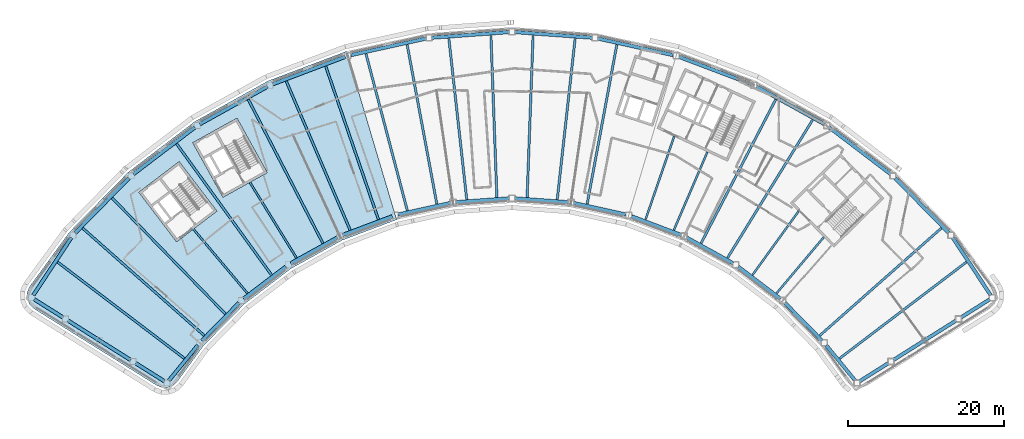
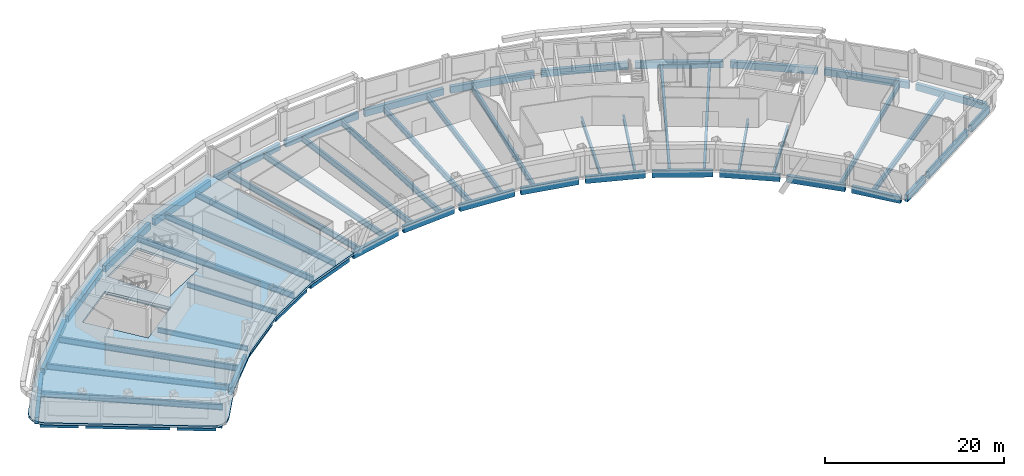
# One storey, part 3 of 13: 58 beams, 1 slab.
"""IFC4 building model written with IfcOpenShell, lengths in metres."""

from ifc_helpers import new_model, si_unit, direction, frame, origin, origin_2d, place, context, subcontext, project, spatial, polyline, hollow_rectangle, i_section, outline, extrude, material, layer, layer_set, material_profile, profile_set, type_object, element, save


model = new_model("IFC4")

# Units and contexts
model_context = context("Model", 3, precision=1e-05, world=origin(), true_north=direction((0.0, 1.0)))
body_context = subcontext(model_context, "Body", "Model", "MODEL_VIEW")
ifc_project = project(units=[si_unit("LENGTHUNIT", "METRE"), si_unit("AREAUNIT", "SQUARE_METRE"), si_unit("VOLUMEUNIT", "CUBIC_METRE"), si_unit("PLANEANGLEUNIT", "RADIAN"), si_unit("MASSUNIT", "GRAM", prefix="KILO")], contexts=[model_context])

# Site, building, storey
site_placement = place(None, origin())
site = spatial("IfcSite", under=ifc_project, at=site_placement, CompositionType="ELEMENT")
building_placement = place(site_placement, origin())
building = spatial("IfcBuilding", under=site, at=building_placement, Name="Tuul Gate Civic Tower", CompositionType="ELEMENT")
storey_placement = place(building_placement, frame((0.0, 0.0, 306.800048828125)))
storey = spatial("IfcBuildingStorey", under=building, at=storey_placement, Name="Level 69", CompositionType="ELEMENT", Elevation=306.800048828125)

# Beams
ifc_material_1 = material(Name="Steel S355", Category="steel")
ifc_material_profile_1 = material_profile(ifc_material_1, i_section(OverallWidth=0.25, OverallDepth=0.64990234375, WebThickness=0.011962890625, FlangeThickness=0.02001953125, at=origin_2d()), Name="PG650x250x12x20")
ifc_profile_set_1 = profile_set([ifc_material_profile_1], Name="Steel S355")
beam_type_1 = type_object("IfcBeamType", Name="STR-FLOOR BEAM-PG650x250x12x20", PredefinedType="BEAM", material=ifc_profile_set_1)
beam_1_placement = place(storey_placement, frame((40.746337890625, -24.341064453125, -0.625), z_axis=(0.644127784209, 0.764917902529, 0.0), x_axis=(-0.764917902529, 0.644127784209, 0.0)))
element("IfcBeam", 1, at=beam_1_placement, inside=storey, type_object=beam_type_1, Name="Floor beam", PredefinedType="BEAM", context=body_context, shape_type="SweptSolid", body=[
    extrude(i_section(OverallWidth=0.25, OverallDepth=0.64990234375, WebThickness=0.011962890625, FlangeThickness=0.02001953125, at=origin_2d()), origin(), (0.0, 0.0, 1.0), 9.443115234375),
])
beam_2_placement = place(storey_placement, frame((37.658203125, -21.989501953125, -0.625), z_axis=(0.586069159859, 0.810261031929, 0.0), x_axis=(-0.810261031929, 0.586069159859, 0.0)))
element("IfcBeam", 2, at=beam_2_placement, inside=storey, type_object=beam_type_1, Name="Floor beam", PredefinedType="BEAM", context=body_context, shape_type="SweptSolid", body=[
    extrude(i_section(OverallWidth=0.25, OverallDepth=0.64990234375, WebThickness=0.011962890625, FlangeThickness=0.02001953125, at=origin_2d()), origin(), (0.0, 0.0, 1.0), 10.103515625),
])
beam_3_placement = place(storey_placement, frame((27.564697265625, -16.229248046875, -0.625), z_axis=(0.394202182467, 0.919023742532, 0.0), x_axis=(-0.919023742532, 0.394202182467, 0.0)))
element("IfcBeam", 3, at=beam_3_placement, inside=storey, type_object=beam_type_1, Name="Floor beam", PredefinedType="BEAM", context=body_context, shape_type="SweptSolid", body=[
    extrude(i_section(OverallWidth=0.25, OverallDepth=0.64990234375, WebThickness=0.011962890625, FlangeThickness=0.02001953125, at=origin_2d()), origin(), (0.0, 0.0, 1.0), 10.93603515625),
])
beam_4_placement = place(storey_placement, frame((23.934326171875, -14.856689453125, -0.625), z_axis=(0.325475834629, 0.945550358824, 0.0), x_axis=(-0.945550358824, 0.325475834629, 0.0)))
element("IfcBeam", 4, at=beam_4_placement, inside=storey, type_object=beam_type_1, Name="Floor beam", PredefinedType="BEAM", context=body_context, shape_type="SweptSolid", body=[
    extrude(i_section(OverallWidth=0.25, OverallDepth=0.64990234375, WebThickness=0.011962890625, FlangeThickness=0.02001953125, at=origin_2d()), origin(), (0.0, 0.0, 1.0), 11.282958984375),
])
beam_5_placement = place(storey_placement, frame((-20.8779296875, -19.798828125, -0.625), z_axis=(-0.524859776805, 0.851188706864, 0.0), x_axis=(-0.851188706864, -0.524859776805, 0.0)))
element("IfcBeam", 5, at=beam_5_placement, inside=storey, type_object=beam_type_1, Name="Floor beam", PredefinedType="BEAM", context=body_context, shape_type="SweptSolid", body=[
    extrude(i_section(OverallWidth=0.25, OverallDepth=0.64990234375, WebThickness=0.011962890625, FlangeThickness=0.02001953125, at=origin_2d()), origin(), (0.0, 0.0, 1.0), 11.414306640625),
])
beam_6_placement = place(storey_placement, frame((-27.170166015625, -24.341064453125, -0.625), z_axis=(-0.644139926709, 0.764907677318, 0.0), x_axis=(-0.764907677318, -0.644139926709, 0.0)))
element("IfcBeam", 6, at=beam_6_placement, inside=storey, type_object=beam_type_1, Name="Floor beam", PredefinedType="BEAM", context=body_context, shape_type="SweptSolid", body=[
    extrude(i_section(OverallWidth=0.25, OverallDepth=0.64990234375, WebThickness=0.011962890625, FlangeThickness=0.02001953125, at=origin_2d()), origin(), (0.0, 0.0, 1.0), 10.7890625),
])
ifc_material_2 = material(Name="Steel S355", Category="steel")
ifc_material_profile_2 = material_profile(ifc_material_2, i_section(OverallWidth=0.300048828125, OverallDepth=0.800048828125, WebThickness=0.013916015625, FlangeThickness=0.02490234375, at=origin_2d()), Name="PG800x300x14x25")
ifc_profile_set_2 = profile_set([ifc_material_profile_2], Name="Steel S355")
beam_type_2 = type_object("IfcBeamType", Name="STR-FLOOR BEAM-PG800x300x14x25", PredefinedType="BEAM", material=ifc_profile_set_2)
beam_7_placement = place(storey_placement, frame((48.8427734375, -32.703857421875, -0.699951171875), z_axis=(0.796156676215, 0.60509052787, 0.0), x_axis=(-0.60509052787, 0.796156676215, 0.0)))
element("IfcBeam", 7, at=beam_7_placement, inside=storey, type_object=beam_type_2, Name="Floor beam", PredefinedType="BEAM", context=body_context, shape_type="SweptSolid", body=[
    extrude(i_section(OverallWidth=0.300048828125, OverallDepth=0.800048828125, WebThickness=0.013916015625, FlangeThickness=0.02490234375, at=origin_2d()), origin(), (0.0, 0.0, 1.0), 20.46240234375),
])
beam_8_placement = place(storey_placement, frame((46.3037109375, -29.759033203125, -0.699951171875), z_axis=(0.749453243269, 0.662057275584, 0.0), x_axis=(-0.662057275584, 0.749453243269, 0.0)))
element("IfcBeam", 8, at=beam_8_placement, inside=storey, type_object=beam_type_2, Name="Floor beam", PredefinedType="BEAM", context=body_context, shape_type="SweptSolid", body=[
    extrude(i_section(OverallWidth=0.300048828125, OverallDepth=0.800048828125, WebThickness=0.013916015625, FlangeThickness=0.02490234375, at=origin_2d()), origin(), (0.0, 0.0, 1.0), 20.828369140625),
])
beam_9_placement = place(storey_placement, frame((34.45458984375, -19.79833984375, -0.699951171875), z_axis=(0.524850193008, 0.851194616348, 0.0), x_axis=(-0.851194616348, 0.524850193008, 0.0)))
element("IfcBeam", 9, at=beam_9_placement, inside=storey, type_object=beam_type_2, Name="Floor beam", PredefinedType="BEAM", context=body_context, shape_type="SweptSolid", body=[
    extrude(i_section(OverallWidth=0.300048828125, OverallDepth=0.800048828125, WebThickness=0.013916015625, FlangeThickness=0.02490234375, at=origin_2d()), origin(), (0.0, 0.0, 1.0), 20.822021484375),
])
beam_10_placement = place(storey_placement, frame((31.0595703125, -17.9169921875, -0.699951171875), z_axis=(0.460777059353, 0.887515916237, 0.0), x_axis=(-0.887515916237, 0.460777059353, 0.0)))
element("IfcBeam", 10, at=beam_10_placement, inside=storey, type_object=beam_type_2, Name="Floor beam", PredefinedType="BEAM", context=body_context, shape_type="SweptSolid", body=[
    extrude(i_section(OverallWidth=0.300048828125, OverallDepth=0.800048828125, WebThickness=0.013916015625, FlangeThickness=0.02490234375, at=origin_2d()), origin(), (0.0, 0.0, 1.0), 20.8076171875),
])
beam_11_placement = place(storey_placement, frame((16.4365234375, -12.874755859375, -0.699951171875), z_axis=(0.183145230157, 0.983085868412, 0.0), x_axis=(-0.983085868412, 0.183145230157, 0.0)))
element("IfcBeam", 11, at=beam_11_placement, inside=storey, type_object=beam_type_2, Name="Floor beam", PredefinedType="BEAM", context=body_context, shape_type="SweptSolid", body=[
    extrude(i_section(OverallWidth=0.300048828125, OverallDepth=0.800048828125, WebThickness=0.013916015625, FlangeThickness=0.02490234375, at=origin_2d()), origin(), (0.0, 0.0, 1.0), 20.8115234375),
])
beam_12_placement = place(storey_placement, frame((12.599365234375, -12.294677734375, -0.699951171875), z_axis=(0.110286058964, 0.993899886909, 0.0), x_axis=(-0.993899886909, 0.110286058964, 0.0)))
element("IfcBeam", 12, at=beam_12_placement, inside=storey, type_object=beam_type_2, Name="Floor beam", PredefinedType="BEAM", context=body_context, shape_type="SweptSolid", body=[
    extrude(i_section(OverallWidth=0.300048828125, OverallDepth=0.800048828125, WebThickness=0.013916015625, FlangeThickness=0.02490234375, at=origin_2d()), origin(), (0.0, 0.0, 1.0), 20.8154296875),
])
beam_13_placement = place(storey_placement, frame((8.728515625, -12.01416015625, -0.699951171875), z_axis=(0.036832047042, 0.999321469954, 0.0), x_axis=(-0.999321469954, 0.036832047042, 0.0)))
element("IfcBeam", 13, at=beam_13_placement, inside=storey, type_object=beam_type_2, Name="Floor beam", PredefinedType="BEAM", context=body_context, shape_type="SweptSolid", body=[
    extrude(i_section(OverallWidth=0.300048828125, OverallDepth=0.800048828125, WebThickness=0.013916015625, FlangeThickness=0.02490234375, at=origin_2d()), origin(), (0.0, 0.0, 1.0), 20.8134765625),
])
beam_14_placement = place(storey_placement, frame((4.84765625, -12.013916015625, -0.699951171875), z_axis=(-0.036820764609, 0.999321885727, 0.0), x_axis=(-0.999321885727, -0.036820764609, 0.0)))
element("IfcBeam", 14, at=beam_14_placement, inside=storey, type_object=beam_type_2, Name="Floor beam", PredefinedType="BEAM", context=body_context, shape_type="SweptSolid", body=[
    extrude(i_section(OverallWidth=0.300048828125, OverallDepth=0.800048828125, WebThickness=0.013916015625, FlangeThickness=0.02490234375, at=origin_2d()), origin(), (0.0, 0.0, 1.0), 20.813232421875),
])
beam_15_placement = place(storey_placement, frame((0.976806640625, -12.294677734375, -0.699951171875), z_axis=(-0.110287344613, 0.993899744249, 0.0), x_axis=(-0.993899744249, -0.110287344613, 0.0)))
element("IfcBeam", 15, at=beam_15_placement, inside=storey, type_object=beam_type_2, Name="Floor beam", PredefinedType="BEAM", context=body_context, shape_type="SweptSolid", body=[
    extrude(i_section(OverallWidth=0.300048828125, OverallDepth=0.800048828125, WebThickness=0.013916015625, FlangeThickness=0.02490234375, at=origin_2d()), origin(), (0.0, 0.0, 1.0), 20.815185546875),
])
beam_16_placement = place(storey_placement, frame((-2.8603515625, -12.87451171875, -0.699951171875), z_axis=(-0.183149454547, 0.983085081414, 0.0), x_axis=(-0.983085081414, -0.183149454547, 0.0)))
element("IfcBeam", 16, at=beam_16_placement, inside=storey, type_object=beam_type_2, Name="Floor beam", PredefinedType="BEAM", context=body_context, shape_type="SweptSolid", body=[
    extrude(i_section(OverallWidth=0.300048828125, OverallDepth=0.800048828125, WebThickness=0.013916015625, FlangeThickness=0.02490234375, at=origin_2d()), origin(), (0.0, 0.0, 1.0), 20.81103515625),
])
beam_17_placement = place(storey_placement, frame((-6.650390625, -13.7099609375, -0.699951171875), z_axis=(-0.255007612054, 0.966939045542, 0.0), x_axis=(-0.966939045542, -0.255007612054, 0.0)))
element("IfcBeam", 17, at=beam_17_placement, inside=storey, type_object=beam_type_2, Name="Floor beam", PredefinedType="BEAM", context=body_context, shape_type="SweptSolid", body=[
    extrude(i_section(OverallWidth=0.300048828125, OverallDepth=0.800048828125, WebThickness=0.013916015625, FlangeThickness=0.02490234375, at=origin_2d()), origin(), (0.0, 0.0, 1.0), 20.8173828125),
])
beam_18_placement = place(storey_placement, frame((-10.358154296875, -14.856689453125, -0.699951171875), z_axis=(-0.325486974479, 0.945546524209, 0.0), x_axis=(-0.945546524209, -0.325486974479, 0.0)))
element("IfcBeam", 18, at=beam_18_placement, inside=storey, type_object=beam_type_2, Name="Floor beam", PredefinedType="BEAM", context=body_context, shape_type="SweptSolid", body=[
    extrude(i_section(OverallWidth=0.300048828125, OverallDepth=0.800048828125, WebThickness=0.013916015625, FlangeThickness=0.02490234375, at=origin_2d()), origin(), (0.0, 0.0, 1.0), 20.809326171875),
])
beam_19_placement = place(storey_placement, frame((-13.98828125, -16.2294921875, -0.699951171875), z_axis=(-0.39420232802, 0.9190236801, 0.0), x_axis=(-0.9190236801, -0.39420232802, 0.0)))
element("IfcBeam", 19, at=beam_19_placement, inside=storey, type_object=beam_type_2, Name="Floor beam", PredefinedType="BEAM", context=body_context, shape_type="SweptSolid", body=[
    extrude(i_section(OverallWidth=0.300048828125, OverallDepth=0.800048828125, WebThickness=0.013916015625, FlangeThickness=0.02490234375, at=origin_2d()), origin(), (0.0, 0.0, 1.0), 20.820068359375),
])
beam_20_placement = place(storey_placement, frame((-17.483154296875, -17.917236328125, -0.699951171875), z_axis=(-0.460781503105, 0.887513609133, 0.0), x_axis=(-0.887513609133, -0.460781503105, 0.0)))
element("IfcBeam", 20, at=beam_20_placement, inside=storey, type_object=beam_type_2, Name="Floor beam", PredefinedType="BEAM", context=body_context, shape_type="SweptSolid", body=[
    extrude(i_section(OverallWidth=0.300048828125, OverallDepth=0.800048828125, WebThickness=0.013916015625, FlangeThickness=0.02490234375, at=origin_2d()), origin(), (0.0, 0.0, 1.0), 20.807861328125),
])
beam_21_placement = place(storey_placement, frame((-24.081787109375, -21.98974609375, -0.699951171875), z_axis=(-0.586080778494, 0.810252627938, 0.0), x_axis=(-0.810252627938, -0.586080778494, 0.0)))
element("IfcBeam", 21, at=beam_21_placement, inside=storey, type_object=beam_type_2, Name="Floor beam", PredefinedType="BEAM", context=body_context, shape_type="SweptSolid", body=[
    extrude(i_section(OverallWidth=0.300048828125, OverallDepth=0.800048828125, WebThickness=0.013916015625, FlangeThickness=0.02490234375, at=origin_2d()), origin(), (0.0, 0.0, 1.0), 20.8056640625),
])
beam_22_placement = place(storey_placement, frame((-30.010498046875, -26.986572265625, -0.699951171875), z_axis=(-0.698690220921, 0.71542433226, 0.0), x_axis=(-0.71542433226, -0.698690220921, 0.0)))
element("IfcBeam", 22, at=beam_22_placement, inside=storey, type_object=beam_type_2, Name="Floor beam", PredefinedType="BEAM", context=body_context, shape_type="SweptSolid", body=[
    extrude(i_section(OverallWidth=0.300048828125, OverallDepth=0.800048828125, WebThickness=0.013916015625, FlangeThickness=0.02490234375, at=origin_2d()), origin(), (0.0, 0.0, 1.0), 20.804443359375),
])
beam_23_placement = place(storey_placement, frame((-32.7275390625, -29.759033203125, -0.699951171875), z_axis=(-0.749453243269, 0.662057275584, 0.0), x_axis=(-0.662057275584, -0.749453243269, 0.0)))
element("IfcBeam", 23, at=beam_23_placement, inside=storey, type_object=beam_type_2, Name="Floor beam", PredefinedType="BEAM", context=body_context, shape_type="SweptSolid", body=[
    extrude(i_section(OverallWidth=0.300048828125, OverallDepth=0.800048828125, WebThickness=0.013916015625, FlangeThickness=0.02490234375, at=origin_2d()), origin(), (0.0, 0.0, 1.0), 20.828369140625),
])
beam_24_placement = place(storey_placement, frame((-35.266845703125, -32.703857421875, -0.699951171875), z_axis=(-0.796146559843, 0.605103838403, 0.0), x_axis=(-0.605103838403, -0.796146559843, 0.0)))
element("IfcBeam", 24, at=beam_24_placement, inside=storey, type_object=beam_type_2, Name="Floor beam", PredefinedType="BEAM", context=body_context, shape_type="SweptSolid", body=[
    extrude(i_section(OverallWidth=0.300048828125, OverallDepth=0.800048828125, WebThickness=0.013916015625, FlangeThickness=0.02490234375, at=origin_2d()), origin(), (0.0, 0.0, 1.0), 20.46240234375),
])
ifc_material_3 = material(Name="Steel S355", Category="steel")
ifc_material_profile_3 = material_profile(ifc_material_3, hollow_rectangle(XDim=0.449951171875, YDim=0.89990234375, WallThickness=0.02490234375, at=origin_2d()), Name="BOX900x450x25")
ifc_profile_set_3 = profile_set([ifc_material_profile_3], Name="Steel S355")
beam_type_3 = type_object("IfcBeamType", Name="STR-SPANDREL BEAM-BOX900x450x25", PredefinedType="BEAM", material=ifc_profile_set_3)
beam_25_placement = place(storey_placement, frame((68.23828125, -24.5634765625, -0.75), z_axis=(-0.551580803008, 0.834121464628, 0.0), x_axis=(-0.834121464628, -0.551580803008, 0.0)))
element("IfcBeam", 25, at=beam_25_placement, inside=storey, type_object=beam_type_3, Name="Spandrel beam", PredefinedType="BEAM", context=body_context, shape_type="SweptSolid", body=[
    extrude(hollow_rectangle(XDim=0.449951171875, YDim=0.89990234375, WallThickness=0.02490234375, at=origin_2d()), origin(), (0.0, 0.0, 1.0), 8.806884765625),
])
for number, where, z_axis, x_axis, name in (
    (26, (62.8798828125, -16.598388671875, -0.75), (-0.699989605726, 0.714153031132, 0.0), (-0.714153031132, -0.699989605726, 0.0), "Spandrel beam"),
    (27, (55.36767578125, -9.0166015625, -0.75), (-0.795624601098, 0.605789975261, 0.0), (-0.605789975261, -0.795624601098, 0.0), "Spandrel beam"),
):
    element("IfcBeam", number, at=place(storey_placement, frame(where, z_axis=z_axis, x_axis=x_axis)), inside=storey, type_object=beam_type_3, Name=name, PredefinedType="BEAM", context=body_context, shape_type="SweptSolid", body=[
        extrude(hollow_rectangle(XDim=0.449951171875, YDim=0.89990234375, WallThickness=0.02490234375, at=origin_2d()), origin(), (0.0, 0.0, 1.0), 9.876953125),
    ])
beam_26_placement = place(storey_placement, frame((46.841064453125, -2.59716796875, -0.75), z_axis=(-0.874638363012, 0.484775962634, 0.0), x_axis=(-0.484775962634, -0.874638363012, 0.0)))
element("IfcBeam", 28, at=beam_26_placement, inside=storey, type_object=beam_type_3, Name="Spandrel beam", PredefinedType="BEAM", context=body_context, shape_type="SweptSolid", body=[
    extrude(hollow_rectangle(XDim=0.449951171875, YDim=0.89990234375, WallThickness=0.02490234375, at=origin_2d()), origin(), (0.0, 0.0, 1.0), 9.87744140625),
])
for number, where, z_axis, x_axis, name in (
    (29, (37.477783203125, 2.526611328125, -0.75), (-0.935345282805, 0.353736062531, 0.0), (-0.353736062531, -0.935345282805, 0.0), "Spandrel beam"),
    (30, (27.474365234375, 6.248046875, -0.75), (-0.976561301206, 0.21523945964, 0.0), (-0.21523945964, -0.976561301206, 0.0), "Spandrel beam"),
):
    element("IfcBeam", number, at=place(storey_placement, frame(where, z_axis=z_axis, x_axis=x_axis)), inside=storey, type_object=beam_type_3, Name=name, PredefinedType="BEAM", context=body_context, shape_type="SweptSolid", body=[
        extrude(hollow_rectangle(XDim=0.449951171875, YDim=0.89990234375, WallThickness=0.02490234375, at=origin_2d()), origin(), (0.0, 0.0, 1.0), 9.877197265625),
    ])
beam_27_placement = place(storey_placement, frame((17.0390625, 8.489013671875, -0.75), z_axis=(-0.997383375636, 0.072293858694, 0.0), x_axis=(-0.072293858694, -0.997383375636, 0.0)))
element("IfcBeam", 31, at=beam_27_placement, inside=storey, type_object=beam_type_3, Name="Spandrel beam", PredefinedType="BEAM", context=body_context, shape_type="SweptSolid", body=[
    extrude(hollow_rectangle(XDim=0.449951171875, YDim=0.89990234375, WallThickness=0.02490234375, at=origin_2d()), origin(), (0.0, 0.0, 1.0), 9.8779296875),
])
for number, where, z_axis, x_axis, name in (
    (32, (6.38916015625, 9.203125, -0.75), (-0.997382988068, -0.072299205474, 0.0), (0.072299205474, -0.997382988068, 0.0), "Spandrel beam"),
    (33, (-4.251708984375, 8.3740234375, -0.75), (-0.976561301206, -0.21523945964, 0.0), (0.21523945964, -0.976561301206, 0.0), "Spandrel beam"),
):
    element("IfcBeam", number, at=place(storey_placement, frame(where, z_axis=z_axis, x_axis=x_axis)), inside=storey, type_object=beam_type_3, Name=name, PredefinedType="BEAM", context=body_context, shape_type="SweptSolid", body=[
        extrude(hollow_rectangle(XDim=0.449951171875, YDim=0.89990234375, WallThickness=0.02490234375, at=origin_2d()), origin(), (0.0, 0.0, 1.0), 9.877197265625),
    ])
beam_28_placement = place(storey_placement, frame((-14.662109375, 6.0205078125, -0.75), z_axis=(-0.935352568022, -0.353716798434, 0.0), x_axis=(0.353716798434, -0.935352568022, 0.0)))
element("IfcBeam", 34, at=beam_28_placement, inside=storey, type_object=beam_type_3, Name="Spandrel beam", PredefinedType="BEAM", context=body_context, shape_type="SweptSolid", body=[
    extrude(hollow_rectangle(XDim=0.449951171875, YDim=0.89990234375, WallThickness=0.02490234375, at=origin_2d()), origin(), (0.0, 0.0, 1.0), 9.87841796875),
])
beam_29_placement = place(storey_placement, frame((-24.625732421875, 2.191162109375, -0.75), z_axis=(-0.874620935206, -0.484807404748, 0.0), x_axis=(0.484807404748, -0.874620935206, 0.0)))
element("IfcBeam", 35, at=beam_29_placement, inside=storey, type_object=beam_type_3, Name="Spandrel beam", PredefinedType="BEAM", context=body_context, shape_type="SweptSolid", body=[
    extrude(hollow_rectangle(XDim=0.449951171875, YDim=0.89990234375, WallThickness=0.02490234375, at=origin_2d()), origin(), (0.0, 0.0, 1.0), 9.876708984375),
])
beam_30_placement = place(storey_placement, frame((-33.932373046875, -3.033203125, -0.75), z_axis=(-0.795624601098, -0.605789975261, 0.0), x_axis=(0.605789975261, -0.795624601098, 0.0)))
element("IfcBeam", 36, at=beam_30_placement, inside=storey, type_object=beam_type_3, Name="Spandrel beam", PredefinedType="BEAM", context=body_context, shape_type="SweptSolid", body=[
    extrude(hollow_rectangle(XDim=0.449951171875, YDim=0.89990234375, WallThickness=0.02490234375, at=origin_2d()), origin(), (0.0, 0.0, 1.0), 9.876953125),
])
beam_31_placement = place(storey_placement, frame((-42.388916015625, -9.544677734375, -0.75), z_axis=(-0.700052630296, -0.714091251042, 0.0), x_axis=(0.714091251042, -0.700052630296, 0.0)))
element("IfcBeam", 37, at=beam_31_placement, inside=storey, type_object=beam_type_3, Name="Spandrel beam", PredefinedType="BEAM", context=body_context, shape_type="SweptSolid", body=[
    extrude(hollow_rectangle(XDim=0.449951171875, YDim=0.89990234375, WallThickness=0.02490234375, at=origin_2d()), origin(), (0.0, 0.0, 1.0), 9.8779296875),
])
beam_32_placement = place(storey_placement, frame((-49.8046875, -17.217529296875, -0.75), z_axis=(-0.551580803008, -0.834121464628, 0.0), x_axis=(0.834121464628, -0.551580803008, 0.0)))
element("IfcBeam", 38, at=beam_32_placement, inside=storey, type_object=beam_type_3, Name="Spandrel beam", PredefinedType="BEAM", context=body_context, shape_type="SweptSolid", body=[
    extrude(hollow_rectangle(XDim=0.449951171875, YDim=0.89990234375, WallThickness=0.02490234375, at=origin_2d()), origin(), (0.0, 0.0, 1.0), 8.806884765625),
])
beam_33_placement = place(storey_placement, frame((-54.54443359375, -25.110107421875, -0.75), z_axis=(0.846271424817, -0.532751983138, 0.0), x_axis=(0.532751983138, 0.846271424817, 0.0)))
element("IfcBeam", 39, at=beam_33_placement, inside=storey, type_object=beam_type_3, Name="Spandrel beam", PredefinedType="BEAM", context=body_context, shape_type="SweptSolid", body=[
    extrude(hollow_rectangle(XDim=0.449951171875, YDim=0.89990234375, WallThickness=0.02490234375, at=origin_2d()), origin(), (0.0, 0.0, 1.0), 4.33203125),
])
beam_34_placement = place(storey_placement, frame((-50.201416015625, -27.84423828125, -0.75), z_axis=(0.84620354352, -0.532859796695, 0.0), x_axis=(0.532859796695, 0.84620354352, 0.0)))
element("IfcBeam", 40, at=beam_34_placement, inside=storey, type_object=beam_type_3, Name="Spandrel beam", PredefinedType="BEAM", context=body_context, shape_type="SweptSolid", body=[
    extrude(hollow_rectangle(XDim=0.449951171875, YDim=0.89990234375, WallThickness=0.02490234375, at=origin_2d()), origin(), (0.0, 0.0, 1.0), 9.463623046875),
])
beam_35_placement = place(storey_placement, frame((-41.5166015625, -33.313232421875, -0.75), z_axis=(0.84613117079, -0.532974710298, 0.0), x_axis=(0.532974710298, 0.84613117079, 0.0)))
element("IfcBeam", 41, at=beam_35_placement, inside=storey, type_object=beam_type_3, Name="Spandrel beam", PredefinedType="BEAM", context=body_context, shape_type="SweptSolid", body=[
    extrude(hollow_rectangle(XDim=0.449951171875, YDim=0.89990234375, WallThickness=0.02490234375, at=origin_2d()), origin(), (0.0, 0.0, 1.0), 4.33154296875),
])
beam_36_placement = place(storey_placement, frame((-37.25927734375, -35.52587890625, -0.75), z_axis=(0.63438437654, 0.773017763574, 0.0), x_axis=(-0.773017763574, 0.63438437654, 0.0)))
element("IfcBeam", 42, at=beam_36_placement, inside=storey, type_object=beam_type_3, Name="Spandrel beam", PredefinedType="BEAM", context=body_context, shape_type="SweptSolid", body=[
    extrude(hollow_rectangle(XDim=0.449951171875, YDim=0.89990234375, WallThickness=0.02490234375, at=origin_2d()), origin(), (0.0, 0.0, 1.0), 5.85205078125),
])
beam_37_placement = place(storey_placement, frame((-33.012939453125, -30.4072265625, -0.75), z_axis=(0.69995351943, 0.71418839996, 0.0), x_axis=(-0.71418839996, 0.69995351943, 0.0)))
element("IfcBeam", 43, at=beam_37_placement, inside=storey, type_object=beam_type_3, Name="Spandrel beam", PredefinedType="BEAM", context=body_context, shape_type="SweptSolid", body=[
    extrude(hollow_rectangle(XDim=0.449951171875, YDim=0.89990234375, WallThickness=0.02490234375, at=origin_2d()), origin(), (0.0, 0.0, 1.0), 6.791748046875),
])
beam_38_placement = place(storey_placement, frame((-27.66064453125, -25.02880859375, -0.75), z_axis=(0.795648671747, 0.605758360361, 0.0), x_axis=(-0.605758360361, 0.795648671747, 0.0)))
element("IfcBeam", 44, at=beam_38_placement, inside=storey, type_object=beam_type_3, Name="Spandrel beam", PredefinedType="BEAM", context=body_context, shape_type="SweptSolid", body=[
    extrude(hollow_rectangle(XDim=0.449951171875, YDim=0.89990234375, WallThickness=0.02490234375, at=origin_2d()), origin(), (0.0, 0.0, 1.0), 6.792236328125),
])
beam_39_placement = place(storey_placement, frame((-21.588134765625, -20.47802734375, -0.75), z_axis=(0.87464856826, 0.484757549751, 0.0), x_axis=(-0.484757549751, 0.87464856826, 0.0)))
element("IfcBeam", 45, at=beam_39_placement, inside=storey, type_object=beam_type_3, Name="Spandrel beam", PredefinedType="BEAM", context=body_context, shape_type="SweptSolid", body=[
    extrude(hollow_rectangle(XDim=0.449951171875, YDim=0.89990234375, WallThickness=0.02490234375, at=origin_2d()), origin(), (0.0, 0.0, 1.0), 6.79150390625),
])
beam_40_placement = place(storey_placement, frame((-14.923828125, -16.8505859375, -0.75), z_axis=(0.935348956807, 0.35372634762, 0.0), x_axis=(-0.35372634762, 0.935348956807, 0.0)))
element("IfcBeam", 46, at=beam_40_placement, inside=storey, type_object=beam_type_3, Name="Spandrel beam", PredefinedType="BEAM", context=body_context, shape_type="SweptSolid", body=[
    extrude(hollow_rectangle(XDim=0.449951171875, YDim=0.89990234375, WallThickness=0.02490234375, at=origin_2d()), origin(), (0.0, 0.0, 1.0), 6.790771484375),
])
for number, where, z_axis, x_axis, name in (
    (47, (-7.807373046875, -14.220947265625, -0.75), (0.976561119915, 0.215240282172, 0.0), (-0.215240282172, 0.976561119915, 0.0), "Spandrel beam"),
    (48, (-0.385009765625, -12.64404296875, -0.75), (0.997381302407, 0.072322455777, 0.0), (-0.072322455777, 0.997381302407, 0.0), "Spandrel beam"),
):
    element("IfcBeam", number, at=place(storey_placement, frame(where, z_axis=z_axis, x_axis=x_axis)), inside=storey, type_object=beam_type_3, Name=name, PredefinedType="BEAM", context=body_context, shape_type="SweptSolid", body=[
        extrude(hollow_rectangle(XDim=0.449951171875, YDim=0.89990234375, WallThickness=0.02490234375, at=origin_2d()), origin(), (0.0, 0.0, 1.0), 6.7919921875),
    ])
for number, where, z_axis, x_axis, name in (
    (49, (7.18701171875, -12.15283203125, -0.75), (0.997381114382, -0.072325048733, 0.0), (0.072325048733, 0.997381114382, 0.0), "Spandrel beam"),
    (50, (14.750732421875, -12.759033203125, -0.75), (0.976559454542, -0.215247837958, 0.0), (0.215247837958, 0.976559454542, 0.0), "Spandrel beam"),
):
    element("IfcBeam", number, at=place(storey_placement, frame(where, z_axis=z_axis, x_axis=x_axis)), inside=storey, type_object=beam_type_3, Name=name, PredefinedType="BEAM", context=body_context, shape_type="SweptSolid", body=[
        extrude(hollow_rectangle(XDim=0.449951171875, YDim=0.89990234375, WallThickness=0.02490234375, at=origin_2d()), origin(), (0.0, 0.0, 1.0), 6.791748046875),
    ])
for number, where, z_axis, x_axis, name in (
    (51, (22.148193359375, -14.448486328125, -0.75), (0.935362449754, -0.353690666531, 0.0), (0.353690666531, 0.935362449754, 0.0), "Spandrel beam"),
    (52, (29.224853515625, -17.185791015625, -0.75), (0.87464856826, -0.484757549751, 0.0), (0.484757549751, 0.87464856826, 0.0), "Spandrel beam"),
    (53, (35.833251953125, -20.914306640625, -0.75), (0.795626424775, -0.605787580098, 0.0), (0.605787580098, 0.795626424775, 0.0), "Spandrel beam"),
):
    element("IfcBeam", number, at=place(storey_placement, frame(where, z_axis=z_axis, x_axis=x_axis)), inside=storey, type_object=beam_type_3, Name=name, PredefinedType="BEAM", context=body_context, shape_type="SweptSolid", body=[
        extrude(hollow_rectangle(XDim=0.449951171875, YDim=0.89990234375, WallThickness=0.02490234375, at=origin_2d()), origin(), (0.0, 0.0, 1.0), 6.79150390625),
    ])
beam_41_placement = place(storey_placement, frame((41.8349609375, -25.556640625, -0.75), z_axis=(0.699971853877, -0.714170430485, 0.0), x_axis=(0.714170430485, 0.699971853877, 0.0)))
element("IfcBeam", 54, at=beam_41_placement, inside=storey, type_object=beam_type_3, Name="Spandrel beam", PredefinedType="BEAM", context=body_context, shape_type="SweptSolid", body=[
    extrude(hollow_rectangle(XDim=0.449951171875, YDim=0.89990234375, WallThickness=0.02490234375, at=origin_2d()), origin(), (0.0, 0.0, 1.0), 6.7919921875),
])
beam_42_placement = place(storey_placement, frame((47.122802734375, -31.002197265625, -0.75), z_axis=(0.63438437654, -0.773017763574, 0.0), x_axis=(0.773017763574, 0.63438437654, 0.0)))
element("IfcBeam", 55, at=beam_42_placement, inside=storey, type_object=beam_type_3, Name="Spandrel beam", PredefinedType="BEAM", context=body_context, shape_type="SweptSolid", body=[
    extrude(hollow_rectangle(XDim=0.449951171875, YDim=0.89990234375, WallThickness=0.02490234375, at=origin_2d()), origin(), (0.0, 0.0, 1.0), 5.85205078125),
])
beam_43_placement = place(storey_placement, frame((51.427490234375, -35.621826171875, -0.75), z_axis=(0.846195195567, 0.532873053362, 0.0), x_axis=(-0.532873053362, 0.846195195567, 0.0)))
element("IfcBeam", 56, at=beam_43_placement, inside=storey, type_object=beam_type_3, Name="Spandrel beam", PredefinedType="BEAM", context=body_context, shape_type="SweptSolid", body=[
    extrude(hollow_rectangle(XDim=0.449951171875, YDim=0.89990234375, WallThickness=0.02490234375, at=origin_2d()), origin(), (0.0, 0.0, 1.0), 4.332275390625),
])
beam_44_placement = place(storey_placement, frame((55.7705078125, -32.886962890625, -0.75), z_axis=(0.84620354352, 0.532859796695, 0.0), x_axis=(-0.532859796695, 0.84620354352, 0.0)))
element("IfcBeam", 57, at=beam_44_placement, inside=storey, type_object=beam_type_3, Name="Spandrel beam", PredefinedType="BEAM", context=body_context, shape_type="SweptSolid", body=[
    extrude(hollow_rectangle(XDim=0.449951171875, YDim=0.89990234375, WallThickness=0.02490234375, at=origin_2d()), origin(), (0.0, 0.0, 1.0), 9.463623046875),
])
beam_45_placement = place(storey_placement, frame((64.45556640625, -27.41796875, -0.75), z_axis=(0.846207423362, 0.532853635295, 0.0), x_axis=(-0.532853635295, 0.846207423362, 0.0)))
element("IfcBeam", 58, at=beam_45_placement, inside=storey, type_object=beam_type_3, Name="Spandrel beam", PredefinedType="BEAM", context=body_context, shape_type="SweptSolid", body=[
    extrude(hollow_rectangle(XDim=0.449951171875, YDim=0.89990234375, WallThickness=0.02490234375, at=origin_2d()), origin(), (0.0, 0.0, 1.0), 4.3310546875),
])

# Slab
ifc_material_4 = material(Name="Concrete C35/45", Category="concrete")
ifc_layer = layer(ifc_material_4, 0.300048828125)
ifc_layer_set = layer_set([ifc_layer], Name="Concrete C35/45")
slab_type = type_object("IfcSlabType", Name="STR-FLOOR-SLAB-300", PredefinedType="FLOOR", material=ifc_layer_set)
slab_placement = place(storey_placement, frame((0.0, 0.0, -0.300048828125)))
element("IfcSlab", 59, at=slab_placement, inside=storey, type_object=slab_type, Name="Level 69/slab/W", PredefinedType="FLOOR", context=body_context, shape_type="SweptSolid", body=[
    extrude(outline(polyline([(-8.02587890625, -14.883056640625), (-14.4599609375, 6.739013671875), (-24.528076171875, 2.930908203125), (-33.943115234375, -2.287109375), (-42.507080078125, -8.80810546875), (-50.04296875, -16.4951171875), (-55.123046875, -23.451904296875), (-55.4599609375, -24.195068359375), (-55.471923828125, -25.010009765625), (-55.156982421875, -25.762939453125), (-54.568115234375, -26.326904296875), (-38.837890625, -36.156005859375), (-38.14404296875, -36.427001953125), (-37.39892578125, -36.424072265625), (-36.70703125, -36.14892578125), (-36.1630859375, -35.639892578125), (-32.833984375, -31.08203125), (-27.580078125, -25.721923828125), (-21.60888671875, -21.176025390625), (-15.0458984375, -17.5380859375), (-8.02587890625, -14.883056640625)]), holes=[polyline([(-31.10009765625, -13.7890625), (-36.27197265625, -17.72705078125), (-41.117919921875, -11.362060546875), (-35.946044921875, -7.424072265625), (-31.10009765625, -13.7890625)]), polyline([(-24.638916015625, -8.846923828125), (-30.323974609375, -11.998046875), (-34.201904296875, -5.0009765625), (-28.51708984375, -1.85009765625), (-24.638916015625, -8.846923828125)])]), origin(), (0.0, 0.0, 1.0), 0.300048828125),
])

save(model, "model.ifc")
